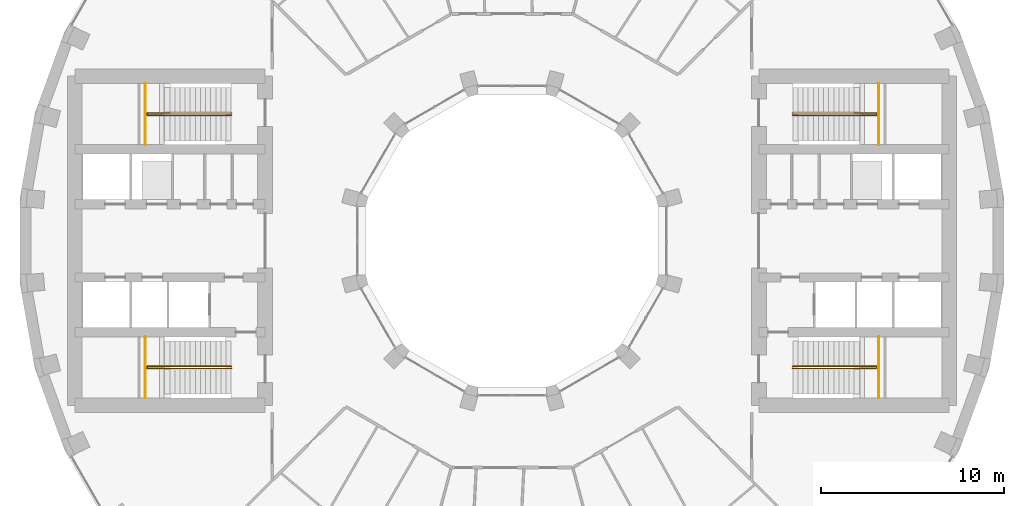
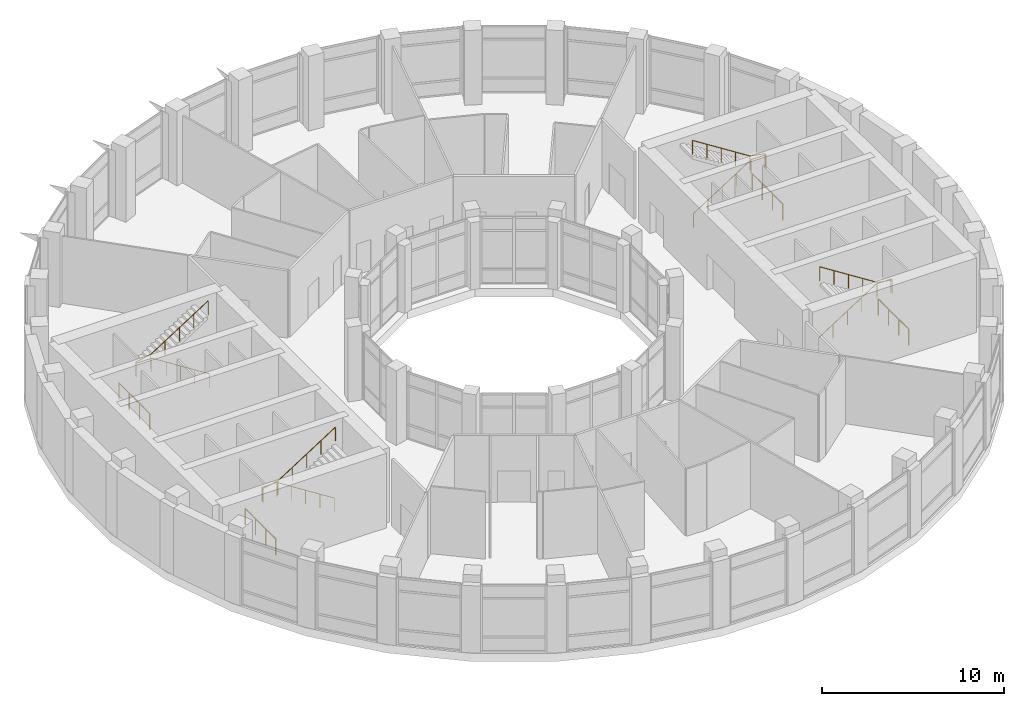
# One storey, part 17 of 18: 8 railings.
"""IFC4 building model written with IfcOpenShell, lengths in metres."""

from ifc_helpers import new_model, si_unit, direction, frame, origin, origin_2d, place, context, subcontext, project, spatial, circle, extrude, material, type_object, element, save


model = new_model("IFC4")

# Units and contexts
model_context = context("Model", 3, precision=1e-05, world=origin(), true_north=direction((0.0, 1.0)))
body_context = subcontext(model_context, "Body", "Model", "MODEL_VIEW")
ifc_project = project(units=[si_unit("LENGTHUNIT", "METRE"), si_unit("AREAUNIT", "SQUARE_METRE"), si_unit("VOLUMEUNIT", "CUBIC_METRE"), si_unit("PLANEANGLEUNIT", "RADIAN"), si_unit("MASSUNIT", "GRAM", prefix="KILO")], contexts=[model_context])

# Site, building, storey
site_placement = place(None, origin())
site = spatial("IfcSite", under=ifc_project, at=site_placement, CompositionType="ELEMENT")
building_placement = place(site_placement, origin())
building = spatial("IfcBuilding", under=site, at=building_placement, Name="Saqina Gate Tower", CompositionType="ELEMENT")
storey_placement = place(building_placement, frame((0.0, 0.0, 86.89990234375)))
storey = spatial("IfcBuildingStorey", under=building, at=storey_placement, Name="L24", CompositionType="ELEMENT", Elevation=86.89990234375)

# Railings
ifc_material_1 = material(Name="Stainless steel", Category="steel")
railing_type_1 = type_object("IfcRailingType", Name="STAIR GUARD", PredefinedType="GUARDRAIL", material=ifc_material_1)
railing_1_placement = place(storey_placement, frame((20.06005859375, 5.25, 0.0)))
element("IfcRailing", 1, at=railing_1_placement, inside=storey, type_object=railing_type_1, Name="STAIR GUARD", PredefinedType="GUARDRAIL", context=body_context, shape_type="SweptSolid", body=[
    extrude(circle(Radius=0.02392578125, at=origin_2d()), frame((0.0, 0.0, 1.076171875), z_axis=(0.0, 1.0, 0.0), x_axis=(-1.0, 0.0, 0.0)), (0.0, 0.0, 1.0), 3.35009765625),
    extrude(circle(Radius=0.02099609375, at=origin_2d()), origin(), (0.0, 0.0, 1.0), 1.052001953125),
    extrude(circle(Radius=0.02099609375, at=origin_2d()), frame((0.0, 1.11669921875, 0.0)), (0.0, 0.0, 1.0), 1.052001953125),
    extrude(circle(Radius=0.02099609375, at=origin_2d()), frame((0.0, 2.2333984375, 0.0)), (0.0, 0.0, 1.0), 1.052001953125),
    extrude(circle(Radius=0.02099609375, at=origin_2d()), frame((0.0, 3.35009765625, 0.0)), (0.0, 0.0, 1.0), 1.052001953125),
])
railing_2_placement = place(storey_placement, frame((20.06005859375, -5.25, 0.0)))
element("IfcRailing", 2, at=railing_2_placement, inside=storey, type_object=railing_type_1, Name="STAIR GUARD", PredefinedType="GUARDRAIL", context=body_context, shape_type="SweptSolid", body=[
    extrude(circle(Radius=0.02392578125, at=origin_2d()), frame((0.0, 0.0, 1.076171875), z_axis=(0.0, -1.0, 0.0), x_axis=(1.0, 0.0, 0.0)), (0.0, 0.0, 1.0), 3.35009765625),
    extrude(circle(Radius=0.02099609375, at=origin_2d()), origin(), (0.0, 0.0, 1.0), 1.052001953125),
    extrude(circle(Radius=0.02099609375, at=origin_2d()), frame((0.0, -1.11669921875, 0.0)), (0.0, 0.0, 1.0), 1.052001953125),
    extrude(circle(Radius=0.02099609375, at=origin_2d()), frame((0.0, -2.2333984375, 0.0)), (0.0, 0.0, 1.0), 1.052001953125),
    extrude(circle(Radius=0.02099609375, at=origin_2d()), frame((0.0, -3.35009765625, 0.0)), (0.0, 0.0, 1.0), 1.052001953125),
])
railing_3_placement = place(storey_placement, frame((-20.06005859375, 5.25, 0.0)))
element("IfcRailing", 3, at=railing_3_placement, inside=storey, type_object=railing_type_1, Name="STAIR GUARD", PredefinedType="GUARDRAIL", context=body_context, shape_type="SweptSolid", body=[
    extrude(circle(Radius=0.02392578125, at=origin_2d()), frame((0.0, 0.0, 1.076171875), z_axis=(0.0, 1.0, 0.0), x_axis=(-1.0, 0.0, 0.0)), (0.0, 0.0, 1.0), 3.35009765625),
    extrude(circle(Radius=0.02099609375, at=origin_2d()), origin(), (0.0, 0.0, 1.0), 1.052001953125),
    extrude(circle(Radius=0.02099609375, at=origin_2d()), frame((0.0, 1.11669921875, 0.0)), (0.0, 0.0, 1.0), 1.052001953125),
    extrude(circle(Radius=0.02099609375, at=origin_2d()), frame((0.0, 2.2333984375, 0.0)), (0.0, 0.0, 1.0), 1.052001953125),
    extrude(circle(Radius=0.02099609375, at=origin_2d()), frame((0.0, 3.35009765625, 0.0)), (0.0, 0.0, 1.0), 1.052001953125),
])
railing_4_placement = place(storey_placement, frame((-20.06005859375, -5.25, 0.0)))
element("IfcRailing", 4, at=railing_4_placement, inside=storey, type_object=railing_type_1, Name="STAIR GUARD", PredefinedType="GUARDRAIL", context=body_context, shape_type="SweptSolid", body=[
    extrude(circle(Radius=0.02392578125, at=origin_2d()), frame((0.0, 0.0, 1.076171875), z_axis=(0.0, -1.0, 0.0), x_axis=(1.0, 0.0, 0.0)), (0.0, 0.0, 1.0), 3.35009765625),
    extrude(circle(Radius=0.02099609375, at=origin_2d()), origin(), (0.0, 0.0, 1.0), 1.052001953125),
    extrude(circle(Radius=0.02099609375, at=origin_2d()), frame((0.0, -1.11669921875, 0.0)), (0.0, 0.0, 1.0), 1.052001953125),
    extrude(circle(Radius=0.02099609375, at=origin_2d()), frame((0.0, -2.2333984375, 0.0)), (0.0, 0.0, 1.0), 1.052001953125),
    extrude(circle(Radius=0.02099609375, at=origin_2d()), frame((0.0, -3.35009765625, 0.0)), (0.0, 0.0, 1.0), 1.052001953125),
])
ifc_material_2 = material(Name="Stainless steel", Category="steel")
railing_type_2 = type_object("IfcRailingType", Name="STAIR HANDRAIL", PredefinedType="HANDRAIL", material=ifc_material_2)
railing_5_placement = place(storey_placement, frame((15.35009765625, 6.86669921875, 0.1787109375)))
element("IfcRailing", 5, at=railing_5_placement, inside=storey, type_object=railing_type_2, Name="EXIT STAIR 1 HANDRAIL", PredefinedType="HANDRAIL", context=body_context, shape_type="SweptSolid", body=[
    extrude(circle(Radius=0.02392578125, at=origin_2d()), frame((0.0, 0.0, 0.92578125), z_axis=(0.843137146238, 0.0, 0.537698570422), x_axis=(0.0, 1.0, 0.0)), (0.0, 0.0, 1.0), 4.317138671875),
    extrude(circle(Radius=0.02392578125, at=origin_2d()), frame((3.639892578125, 0.0, 3.2470703125), z_axis=(1.0, 0.0, 0.0), x_axis=(0.0, 1.0, 0.0)), (0.0, 0.0, 1.0), 0.949951171875),
    extrude(circle(Radius=0.02392578125, at=origin_2d()), frame((4.58984375, 0.0, 3.2470703125), z_axis=(0.0, 1.0, 0.0), x_axis=(-1.0, 0.0, 0.0)), (0.0, 0.0, 1.0), 0.11669921875),
    extrude(circle(Radius=0.02392578125, at=origin_2d()), frame((4.58984375, 0.11669921875, 3.2470703125), z_axis=(-0.982760493753, 0.0, 0.184883238609), x_axis=(0.0, -1.0, 0.0)), (0.0, 0.0, 1.0), 0.966552734375),
    extrude(circle(Radius=0.02392578125, at=origin_2d()), frame((3.639892578125, 0.11669921875, 3.42578125), z_axis=(-0.843137146238, 0.0, 0.537698570422), x_axis=(0.0, -1.0, 0.0)), (0.0, 0.0, 1.0), 4.317138671875),
    extrude(circle(Radius=0.02099609375, at=origin_2d()), origin(), (0.0, 0.0, 1.0), 0.90185546875),
    extrude(circle(Radius=0.02099609375, at=origin_2d()), frame((0.909912109375, 0.0, 0.580322265625)), (0.0, 0.0, 1.0), 0.90185546875),
    extrude(circle(Radius=0.02099609375, at=origin_2d()), frame((1.81982421875, 0.0, 1.16064453125)), (0.0, 0.0, 1.0), 0.90185546875),
    extrude(circle(Radius=0.02099609375, at=origin_2d()), frame((2.72998046875, 0.0, 1.740966796875)), (0.0, 0.0, 1.0), 0.90185546875),
    extrude(circle(Radius=0.02099609375, at=origin_2d()), frame((3.639892578125, 0.0, 2.3212890625)), (0.0, 0.0, 1.0), 0.90185546875),
    extrude(circle(Radius=0.02099609375, at=origin_2d()), frame((4.58984375, 0.0, 2.3212890625)), (0.0, 0.0, 1.0), 0.90185546875),
    extrude(circle(Radius=0.02099609375, at=origin_2d()), frame((4.58984375, 0.11669921875, 2.3212890625)), (0.0, 0.0, 1.0), 0.90185546875),
    extrude(circle(Radius=0.02099609375, at=origin_2d()), frame((3.639892578125, 0.11669921875, 2.5)), (0.0, 0.0, 1.0), 0.90185546875),
    extrude(circle(Radius=0.02099609375, at=origin_2d()), frame((2.72998046875, 0.11669921875, 3.080322265625)), (0.0, 0.0, 1.0), 0.90185546875),
    extrude(circle(Radius=0.02099609375, at=origin_2d()), frame((1.81982421875, 0.11669921875, 3.66064453125)), (0.0, 0.0, 1.0), 0.90185546875),
    extrude(circle(Radius=0.02099609375, at=origin_2d()), frame((0.909912109375, 0.11669921875, 4.240966796875)), (0.0, 0.0, 1.0), 0.90185546875),
    extrude(circle(Radius=0.02099609375, at=origin_2d()), frame((0.0, 0.11669921875, 4.8212890625)), (0.0, 0.0, 1.0), 0.90185546875),
])
railing_6_placement = place(storey_placement, frame((15.35009765625, -6.86669921875, 0.1787109375)))
element("IfcRailing", 6, at=railing_6_placement, inside=storey, type_object=railing_type_2, Name="EXIT STAIR 2 HANDRAIL", PredefinedType="HANDRAIL", context=body_context, shape_type="SweptSolid", body=[
    extrude(circle(Radius=0.02392578125, at=origin_2d()), frame((0.0, 0.0, 0.92578125), z_axis=(0.843137146238, 0.0, 0.537698570422), x_axis=(0.0, 1.0, 0.0)), (0.0, 0.0, 1.0), 4.317138671875),
    extrude(circle(Radius=0.02392578125, at=origin_2d()), frame((3.639892578125, 0.0, 3.2470703125), z_axis=(1.0, 0.0, 0.0), x_axis=(0.0, 1.0, 0.0)), (0.0, 0.0, 1.0), 0.949951171875),
    extrude(circle(Radius=0.02392578125, at=origin_2d()), frame((4.58984375, 0.0, 3.2470703125), z_axis=(0.0, -1.0, 0.0), x_axis=(1.0, 0.0, 0.0)), (0.0, 0.0, 1.0), 0.11669921875),
    extrude(circle(Radius=0.02392578125, at=origin_2d()), frame((4.58984375, -0.11669921875, 3.2470703125), z_axis=(-0.982760493753, 0.0, 0.184883238609), x_axis=(0.0, -1.0, 0.0)), (0.0, 0.0, 1.0), 0.966552734375),
    extrude(circle(Radius=0.02392578125, at=origin_2d()), frame((3.639892578125, -0.11669921875, 3.42578125), z_axis=(-0.843137146238, 0.0, 0.537698570422), x_axis=(0.0, -1.0, 0.0)), (0.0, 0.0, 1.0), 4.317138671875),
    extrude(circle(Radius=0.02099609375, at=origin_2d()), origin(), (0.0, 0.0, 1.0), 0.90185546875),
    extrude(circle(Radius=0.02099609375, at=origin_2d()), frame((0.909912109375, 0.0, 0.580322265625)), (0.0, 0.0, 1.0), 0.90185546875),
    extrude(circle(Radius=0.02099609375, at=origin_2d()), frame((1.81982421875, 0.0, 1.16064453125)), (0.0, 0.0, 1.0), 0.90185546875),
    extrude(circle(Radius=0.02099609375, at=origin_2d()), frame((2.72998046875, 0.0, 1.740966796875)), (0.0, 0.0, 1.0), 0.90185546875),
    extrude(circle(Radius=0.02099609375, at=origin_2d()), frame((3.639892578125, 0.0, 2.3212890625)), (0.0, 0.0, 1.0), 0.90185546875),
    extrude(circle(Radius=0.02099609375, at=origin_2d()), frame((4.58984375, 0.0, 2.3212890625)), (0.0, 0.0, 1.0), 0.90185546875),
    extrude(circle(Radius=0.02099609375, at=origin_2d()), frame((4.58984375, -0.11669921875, 2.3212890625)), (0.0, 0.0, 1.0), 0.90185546875),
    extrude(circle(Radius=0.02099609375, at=origin_2d()), frame((3.639892578125, -0.11669921875, 2.5)), (0.0, 0.0, 1.0), 0.90185546875),
    extrude(circle(Radius=0.02099609375, at=origin_2d()), frame((2.72998046875, -0.11669921875, 3.080322265625)), (0.0, 0.0, 1.0), 0.90185546875),
    extrude(circle(Radius=0.02099609375, at=origin_2d()), frame((1.81982421875, -0.11669921875, 3.66064453125)), (0.0, 0.0, 1.0), 0.90185546875),
    extrude(circle(Radius=0.02099609375, at=origin_2d()), frame((0.909912109375, -0.11669921875, 4.240966796875)), (0.0, 0.0, 1.0), 0.90185546875),
    extrude(circle(Radius=0.02099609375, at=origin_2d()), frame((0.0, -0.11669921875, 4.8212890625)), (0.0, 0.0, 1.0), 0.90185546875),
])
railing_7_placement = place(storey_placement, frame((-15.35009765625, 6.86669921875, 0.1787109375)))
element("IfcRailing", 7, at=railing_7_placement, inside=storey, type_object=railing_type_2, Name="EXIT STAIR 3 HANDRAIL", PredefinedType="HANDRAIL", context=body_context, shape_type="SweptSolid", body=[
    extrude(circle(Radius=0.02392578125, at=origin_2d()), frame((0.0, 0.0, 0.92578125), z_axis=(-0.843137146238, 0.0, 0.537698570422), x_axis=(0.0, -1.0, 0.0)), (0.0, 0.0, 1.0), 4.317138671875),
    extrude(circle(Radius=0.02392578125, at=origin_2d()), frame((-3.639892578125, 0.0, 3.2470703125), z_axis=(-1.0, 0.0, 0.0), x_axis=(0.0, -1.0, 0.0)), (0.0, 0.0, 1.0), 0.949951171875),
    extrude(circle(Radius=0.02392578125, at=origin_2d()), frame((-4.58984375, 0.0, 3.2470703125), z_axis=(0.0, 1.0, 0.0), x_axis=(-1.0, 0.0, 0.0)), (0.0, 0.0, 1.0), 0.11669921875),
    extrude(circle(Radius=0.02392578125, at=origin_2d()), frame((-4.58984375, 0.11669921875, 3.2470703125), z_axis=(0.982760493753, 0.0, 0.184883238609), x_axis=(0.0, 1.0, 0.0)), (0.0, 0.0, 1.0), 0.966552734375),
    extrude(circle(Radius=0.02392578125, at=origin_2d()), frame((-3.639892578125, 0.11669921875, 3.42578125), z_axis=(0.843137146238, 0.0, 0.537698570422), x_axis=(0.0, 1.0, 0.0)), (0.0, 0.0, 1.0), 4.317138671875),
    extrude(circle(Radius=0.02099609375, at=origin_2d()), origin(), (0.0, 0.0, 1.0), 0.90185546875),
    extrude(circle(Radius=0.02099609375, at=origin_2d()), frame((-0.909912109375, 0.0, 0.580322265625)), (0.0, 0.0, 1.0), 0.90185546875),
    extrude(circle(Radius=0.02099609375, at=origin_2d()), frame((-1.81982421875, 0.0, 1.16064453125)), (0.0, 0.0, 1.0), 0.90185546875),
    extrude(circle(Radius=0.02099609375, at=origin_2d()), frame((-2.72998046875, 0.0, 1.740966796875)), (0.0, 0.0, 1.0), 0.90185546875),
    extrude(circle(Radius=0.02099609375, at=origin_2d()), frame((-3.639892578125, 0.0, 2.3212890625)), (0.0, 0.0, 1.0), 0.90185546875),
    extrude(circle(Radius=0.02099609375, at=origin_2d()), frame((-4.58984375, 0.0, 2.3212890625)), (0.0, 0.0, 1.0), 0.90185546875),
    extrude(circle(Radius=0.02099609375, at=origin_2d()), frame((-4.58984375, 0.11669921875, 2.3212890625)), (0.0, 0.0, 1.0), 0.90185546875),
    extrude(circle(Radius=0.02099609375, at=origin_2d()), frame((-3.639892578125, 0.11669921875, 2.5)), (0.0, 0.0, 1.0), 0.90185546875),
    extrude(circle(Radius=0.02099609375, at=origin_2d()), frame((-2.72998046875, 0.11669921875, 3.080322265625)), (0.0, 0.0, 1.0), 0.90185546875),
    extrude(circle(Radius=0.02099609375, at=origin_2d()), frame((-1.81982421875, 0.11669921875, 3.66064453125)), (0.0, 0.0, 1.0), 0.90185546875),
    extrude(circle(Radius=0.02099609375, at=origin_2d()), frame((-0.909912109375, 0.11669921875, 4.240966796875)), (0.0, 0.0, 1.0), 0.90185546875),
    extrude(circle(Radius=0.02099609375, at=origin_2d()), frame((0.0, 0.11669921875, 4.8212890625)), (0.0, 0.0, 1.0), 0.90185546875),
])
railing_8_placement = place(storey_placement, frame((-15.35009765625, -6.86669921875, 0.1787109375)))
element("IfcRailing", 8, at=railing_8_placement, inside=storey, type_object=railing_type_2, Name="EXIT STAIR 4 HANDRAIL", PredefinedType="HANDRAIL", context=body_context, shape_type="SweptSolid", body=[
    extrude(circle(Radius=0.02392578125, at=origin_2d()), frame((0.0, 0.0, 0.92578125), z_axis=(-0.843137146238, 0.0, 0.537698570422), x_axis=(0.0, -1.0, 0.0)), (0.0, 0.0, 1.0), 4.317138671875),
    extrude(circle(Radius=0.02392578125, at=origin_2d()), frame((-3.639892578125, 0.0, 3.2470703125), z_axis=(-1.0, 0.0, 0.0), x_axis=(0.0, -1.0, 0.0)), (0.0, 0.0, 1.0), 0.949951171875),
    extrude(circle(Radius=0.02392578125, at=origin_2d()), frame((-4.58984375, 0.0, 3.2470703125), z_axis=(0.0, -1.0, 0.0), x_axis=(1.0, 0.0, 0.0)), (0.0, 0.0, 1.0), 0.11669921875),
    extrude(circle(Radius=0.02392578125, at=origin_2d()), frame((-4.58984375, -0.11669921875, 3.2470703125), z_axis=(0.982760493753, 0.0, 0.184883238609), x_axis=(0.0, 1.0, 0.0)), (0.0, 0.0, 1.0), 0.966552734375),
    extrude(circle(Radius=0.02392578125, at=origin_2d()), frame((-3.639892578125, -0.11669921875, 3.42578125), z_axis=(0.843137146238, 0.0, 0.537698570422), x_axis=(0.0, 1.0, 0.0)), (0.0, 0.0, 1.0), 4.317138671875),
    extrude(circle(Radius=0.02099609375, at=origin_2d()), origin(), (0.0, 0.0, 1.0), 0.90185546875),
    extrude(circle(Radius=0.02099609375, at=origin_2d()), frame((-0.909912109375, 0.0, 0.580322265625)), (0.0, 0.0, 1.0), 0.90185546875),
    extrude(circle(Radius=0.02099609375, at=origin_2d()), frame((-1.81982421875, 0.0, 1.16064453125)), (0.0, 0.0, 1.0), 0.90185546875),
    extrude(circle(Radius=0.02099609375, at=origin_2d()), frame((-2.72998046875, 0.0, 1.740966796875)), (0.0, 0.0, 1.0), 0.90185546875),
    extrude(circle(Radius=0.02099609375, at=origin_2d()), frame((-3.639892578125, 0.0, 2.3212890625)), (0.0, 0.0, 1.0), 0.90185546875),
    extrude(circle(Radius=0.02099609375, at=origin_2d()), frame((-4.58984375, 0.0, 2.3212890625)), (0.0, 0.0, 1.0), 0.90185546875),
    extrude(circle(Radius=0.02099609375, at=origin_2d()), frame((-4.58984375, -0.11669921875, 2.3212890625)), (0.0, 0.0, 1.0), 0.90185546875),
    extrude(circle(Radius=0.02099609375, at=origin_2d()), frame((-3.639892578125, -0.11669921875, 2.5)), (0.0, 0.0, 1.0), 0.90185546875),
    extrude(circle(Radius=0.02099609375, at=origin_2d()), frame((-2.72998046875, -0.11669921875, 3.080322265625)), (0.0, 0.0, 1.0), 0.90185546875),
    extrude(circle(Radius=0.02099609375, at=origin_2d()), frame((-1.81982421875, -0.11669921875, 3.66064453125)), (0.0, 0.0, 1.0), 0.90185546875),
    extrude(circle(Radius=0.02099609375, at=origin_2d()), frame((-0.909912109375, -0.11669921875, 4.240966796875)), (0.0, 0.0, 1.0), 0.90185546875),
    extrude(circle(Radius=0.02099609375, at=origin_2d()), frame((0.0, -0.11669921875, 4.8212890625)), (0.0, 0.0, 1.0), 0.90185546875),
])

save(model, "model.ifc")
